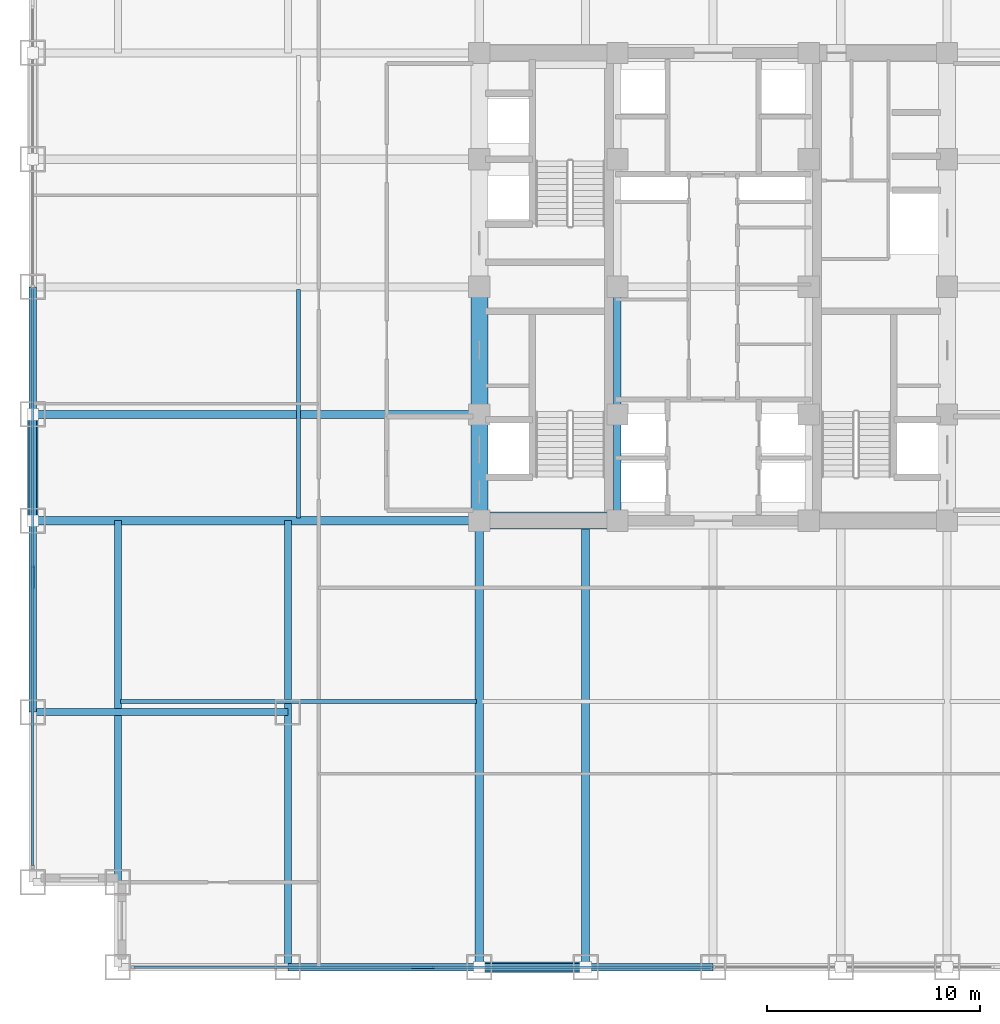
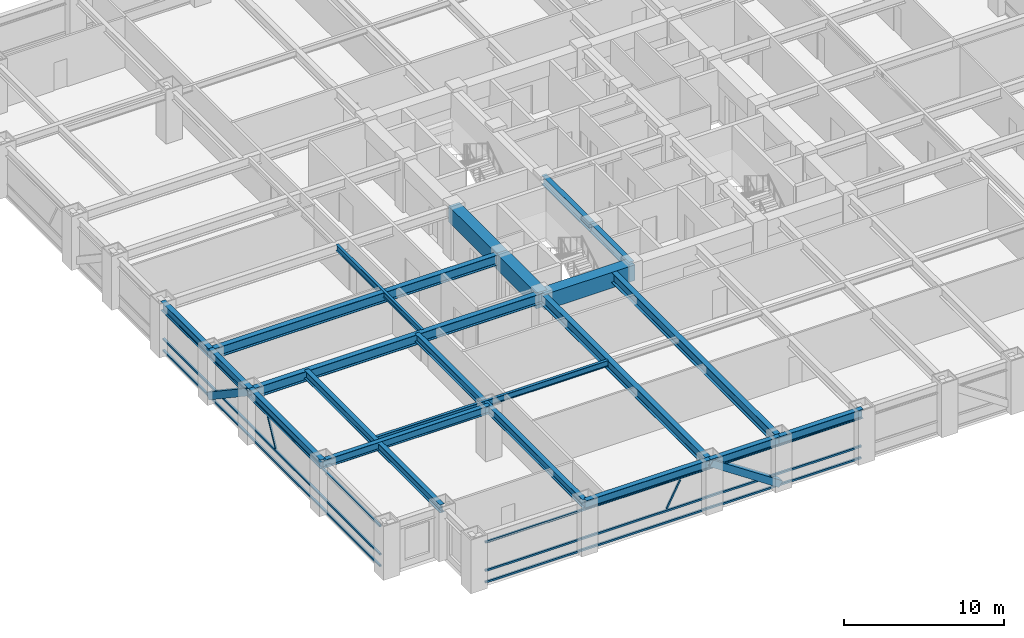
# One storey, part 3 of 28: 20 beams, 10 members, 2 elements without a shape of their own.
"""IFC4 building model written with IfcOpenShell, lengths in metres."""

import ifcopenshell
import ifcopenshell.guid

model = None  # the IFC model being written
_history = None  # IfcOwnerHistory: only IFC2X3 demands one
_inside = {}  # id of a spatial element -> (the spatial element, [elements in it])
_under = {}  # id of a project, library or spatial element -> (it, [spatial elements below it])
_declared = {}  # id of a project -> (the project, [libraries it declares])
_typed = {}  # id of a type object -> (the type object, [elements of that type])
_made_of = {}  # id of a material, layer set ... -> (it, [elements and type objects made of it])


def new_model(schema):
    """Start an empty IFC model of exactly this schema.

    Asked for "IFC4X3", IfcOpenShell would pick the latest addendum, in which some entities
    have other attributes; the version numbers below select the first issue.
    IFC2X3 requires an IfcOwnerHistory on every rooted entity: one is made here for all.
    """
    global model, _history
    if schema == "IFC4X3":
        model = ifcopenshell.file(schema_version=(4, 3, 0, 0))
    else:
        model = ifcopenshell.file(schema=schema)
    _inside.clear()
    _under.clear()
    _declared.clear()
    _typed.clear()
    _made_of.clear()
    _history = None
    if model.schema == "IFC2X3":
        org = make("IfcOrganization", Name="unknown")
        user = make(
            "IfcPersonAndOrganization",
            ThePerson=make("IfcPerson", FamilyName="unknown"),
            TheOrganization=org,
        )
        app = make(
            "IfcApplication",
            ApplicationDeveloper=org,
            Version="unknown",
            ApplicationFullName="unknown",
            ApplicationIdentifier="unknown",
        )
        _history = make(
            "IfcOwnerHistory",
            OwningUser=user,
            OwningApplication=app,
            ChangeAction="ADDED",
            CreationDate=0,
        )
    return model


def make(cls, **values):
    """One entity of the class cls with the attributes given. An attribute that is None is left unset."""
    return model.create_entity(
        cls, **{name: value for name, value in values.items() if value is not None}
    )


def rooted(cls, **values):
    """An entity with a GlobalId (a new one), such as an element, a storey or a relation."""
    return make(cls, GlobalId=ifcopenshell.guid.new(), OwnerHistory=_history, **values)


def si_unit(unit_type, name, prefix=None):
    """IfcSIUnit, for example si_unit("LENGTHUNIT", "METRE", prefix="MILLI")."""
    return make("IfcSIUnit", UnitType=unit_type, Prefix=prefix, Name=name)


def assignment(units):
    """IfcUnitAssignment: the units of a project."""
    return None if units is None else make("IfcUnitAssignment", Units=units)


def point(xyz):
    """IfcCartesianPoint."""
    return None if xyz is None else make("IfcCartesianPoint", Coordinates=xyz)


def direction(xyz):
    """IfcDirection."""
    return None if xyz is None else make("IfcDirection", DirectionRatios=xyz)


def frame(location, z_axis=None, x_axis=None):
    """IfcAxis2Placement3D, a coordinate frame: its origin and axes. An axis left out is left unset."""
    return make(
        "IfcAxis2Placement3D",
        Location=point(location),
        Axis=direction(z_axis),
        RefDirection=direction(x_axis),
    )


def frame_2d(location, x_axis=None):
    """IfcAxis2Placement2D, a coordinate frame in the plane: its origin and x axis."""
    return make(
        "IfcAxis2Placement2D", Location=point(location), RefDirection=direction(x_axis)
    )


def origin():
    """The frame at (0, 0, 0) with its axes left unset."""
    return frame((0.0, 0.0, 0.0))


def origin_2d():
    """The frame at (0, 0) in the plane with its x axis left unset."""
    return frame_2d((0.0, 0.0))


def place(relative_to, where):
    """IfcLocalPlacement: puts the frame where relative to a parent placement (None: the world)."""
    return make(
        "IfcLocalPlacement", PlacementRelTo=relative_to, RelativePlacement=where
    )


def context(
    kind, dimensions, precision=None, world=None, true_north=None, identifier=None
):
    """IfcGeometricRepresentationContext, for example the 3D "Model" context."""
    return make(
        "IfcGeometricRepresentationContext",
        ContextIdentifier=identifier,
        ContextType=kind,
        CoordinateSpaceDimension=dimensions,
        Precision=precision,
        WorldCoordinateSystem=world,
        TrueNorth=true_north,
    )


def subcontext(parent, identifier, kind, view, scale=None):
    """IfcGeometricRepresentationSubContext, for example "Body" below "Model"."""
    return make(
        "IfcGeometricRepresentationSubContext",
        ContextIdentifier=identifier,
        ContextType=kind,
        ParentContext=parent,
        TargetScale=scale,
        TargetView=view,
    )


def project(units=None, contexts=None):
    """IfcProject with its units and contexts."""
    return rooted(
        "IfcProject",
        Name="project",
        RepresentationContexts=contexts,
        UnitsInContext=assignment(units),
    )


def spatial(cls, under=None, at=None, **own):
    """A site, building, storey or space (cls), placed at a placement, below another one or the project."""
    s = rooted(cls, ObjectPlacement=at, **own)
    if under is not None:
        _under.setdefault(under.id(), (under, []))[1].append(s)
    return s


def profile(cls, at=None, kind="AREA", **sizes):
    """A parametric profile (cls). Its sizes go by their IFC names, for example OverallWidth=200.0."""
    return make(cls, ProfileType=kind, Position=at, **sizes)


def rectangle(**sizes):
    """IfcRectangleProfileDef."""
    return profile("IfcRectangleProfileDef", **sizes)


def hollow_rectangle(**sizes):
    """IfcRectangleHollowProfileDef."""
    return profile("IfcRectangleHollowProfileDef", **sizes)


def i_section(**sizes):
    """IfcIShapeProfileDef."""
    return profile("IfcIShapeProfileDef", **sizes)


def extrude(swept, where, along, depth):
    """IfcExtrudedAreaSolid: the profile swept, set in the frame where, extruded along a direction by depth."""
    return make(
        "IfcExtrudedAreaSolid",
        SweptArea=swept,
        Position=where,
        ExtrudedDirection=direction(along),
        Depth=depth,
    )


def shape(context_of_items, identifier, shape_type, items):
    """IfcShapeRepresentation: the items that make up one representation, for example the "Body"."""
    return make(
        "IfcShapeRepresentation",
        ContextOfItems=context_of_items,
        RepresentationIdentifier=identifier,
        RepresentationType=shape_type,
        Items=items,
    )


def source(mapping_origin, context_of_items, identifier, shape_type, items):
    """IfcRepresentationMap: a shape defined once, which mapped items show again and again."""
    return make(
        "IfcRepresentationMap",
        MappingOrigin=mapping_origin,
        MappedRepresentation=shape(context_of_items, identifier, shape_type, items),
    )


def transform(
    local_origin,
    x_axis=None,
    y_axis=None,
    z_axis=None,
    scale=None,
    scale2=None,
    scale3=None,
    uniform=True,
):
    """IfcCartesianTransformationOperator3D, or its non-uniform kind. x_axis, y_axis, z_axis: its Axis1, 2, 3."""
    if uniform:
        return make(
            "IfcCartesianTransformationOperator3D",
            Axis1=direction(x_axis),
            Axis2=direction(y_axis),
            LocalOrigin=point(local_origin),
            Scale=scale,
            Axis3=direction(z_axis),
        )
    return make(
        "IfcCartesianTransformationOperator3DnonUniform",
        Axis1=direction(x_axis),
        Axis2=direction(y_axis),
        LocalOrigin=point(local_origin),
        Scale=scale,
        Axis3=direction(z_axis),
        Scale2=scale2,
        Scale3=scale3,
    )


def mapped(mapping_source, mapping_target):
    """IfcMappedItem: shows the shape of a source again, moved by a transform."""
    return make(
        "IfcMappedItem", MappingSource=mapping_source, MappingTarget=mapping_target
    )


def material(Name=None, Category=None):
    """IfcMaterial."""
    return make("IfcMaterial", Name=Name, Category=Category)


def material_profile(
    of_material, cross_section, Name=None, Category=None, Priority=None
):
    """IfcMaterialProfile: a cross section and its material."""
    return make(
        "IfcMaterialProfile",
        Name=Name,
        Material=of_material,
        Profile=cross_section,
        Priority=Priority,
        Category=Category,
    )


def profile_set(profiles, Name=None, composite=None):
    """IfcMaterialProfileSet."""
    return make(
        "IfcMaterialProfileSet",
        Name=Name,
        MaterialProfiles=profiles,
        CompositeProfile=composite,
    )


def made_of(thing, what):
    """Note that an element or type object is made of a material, layer set ...; save() writes the relation."""
    if what is not None:
        _made_of.setdefault(what.id(), (what, []))[1].append(thing)
    return thing


def type_object(cls, material=None, **own):
    """A type object (cls), such as IfcWallType, which elements share."""
    return made_of(rooted(cls, **own), material)


def element(
    cls,
    number,
    at=None,
    inside=None,
    cuts=None,
    type_object=None,
    material=None,
    context=None,
    identifier="Body",
    shape_type=None,
    held_by="IfcProductDefinitionShape",
    body=None,
    shapes=None,
    **own,
):
    """One element of the class cls, such as IfcWall. Its Tag is "e" and its number.

    at: its placement. inside: the storey or other place that contains it. cuts: it is an
    opening in that element (IfcRelVoidsElement). A single representation is given by context,
    identifier, shape_type and body (its items); several are given by shapes. held_by: the class
    of the entity that holds the representations. save() writes the other relations.
    """
    e = rooted(cls, Tag="e%d" % number, ObjectPlacement=at, **own)
    if body is not None:
        shapes = [shape(context, identifier, shape_type, body)]
    if shapes is not None:
        e.Representation = make(held_by, Representations=shapes)
    if inside is not None:
        _inside.setdefault(inside.id(), (inside, []))[1].append(e)
    if cuts is not None:
        rooted(
            "IfcRelVoidsElement", RelatingBuildingElement=cuts, RelatedOpeningElement=e
        )
    if type_object is not None:
        _typed.setdefault(type_object.id(), (type_object, []))[1].append(e)
    return made_of(e, material)


def aggregate(whole, parts):
    """IfcRelAggregates: a whole, such as a stair, and the parts it consists of."""
    return rooted("IfcRelAggregates", RelatingObject=whole, RelatedObjects=parts)


def save(model, path):
    """Write the relations noted so far, then the file.

    IfcRelAggregates (storeys below a building ...), IfcRelContainedInSpatialStructure (elements
    in a storey), IfcRelDefinesByType, IfcRelAssociatesMaterial and IfcRelDeclares: one each for
    every whole, place, type object, material and project.
    """
    for whole, parts in _under.values():
        aggregate(whole, parts)
    for where, things in _inside.values():
        rooted(
            "IfcRelContainedInSpatialStructure",
            RelatedElements=things,
            RelatingStructure=where,
        )
    for kind, things in _typed.values():
        rooted("IfcRelDefinesByType", RelatedObjects=things, RelatingType=kind)
    for what, things in _made_of.values():
        rooted("IfcRelAssociatesMaterial", RelatedObjects=things, RelatingMaterial=what)
    for by, libraries in _declared.values():
        rooted("IfcRelDeclares", RelatingContext=by, RelatedDefinitions=libraries)
    model.write(path)


model = new_model("IFC4")

# Units and contexts
model_context = context("Model", 3, precision=1e-05, world=origin(), true_north=direction((0.0, 1.0)))
body_context = subcontext(model_context, "Body", "Model", "MODEL_VIEW")
ifc_project = project(units=[si_unit("LENGTHUNIT", "METRE"), si_unit("AREAUNIT", "SQUARE_METRE"), si_unit("VOLUMEUNIT", "CUBIC_METRE"), si_unit("PLANEANGLEUNIT", "RADIAN"), si_unit("MASSUNIT", "GRAM", prefix="KILO")], contexts=[model_context])

# Site, building, storey
site_placement = place(None, origin())
site = spatial("IfcSite", under=ifc_project, at=site_placement, CompositionType="ELEMENT")
building_placement = place(site_placement, origin())
building = spatial("IfcBuilding", under=site, at=building_placement, Name="Khorayat Bourse Tower", CompositionType="ELEMENT")
storey_placement = place(building_placement, frame((0.0, 0.0, 120.10009765625)))
storey = spatial("IfcBuildingStorey", under=building, at=storey_placement, Name="L27", CompositionType="ELEMENT", Elevation=120.10009765625)

# Beams
ifc_material_1 = material(Name="Concrete C72/90", Category="concrete")
ifc_material_profile_1 = material_profile(ifc_material_1, rectangle(XDim=0.800048828125, YDim=1.199951171875, at=origin_2d()), Name="RC 800x1200")
ifc_profile_set_1 = profile_set([ifc_material_profile_1], Name="Concrete C72/90")
beam_type_1 = type_object("IfcBeamType", Name="BM-COUP-1200", PredefinedType="BEAM", material=ifc_profile_set_1)
shared_shape_1 = source(origin(), body_context, "Body", "SweptSolid", [
    extrude(rectangle(XDim=0.800048828125, YDim=1.199951171875, at=origin_2d()), origin(), (0.0, 0.0, 1.0), 5.0),
])
beam_1_placement = place(storey_placement, frame((-11.0, -11.0, 3.239990234375), z_axis=(0.0, 1.0, 0.0), x_axis=(-1.0, 0.0, 0.0)))
element("IfcBeam", 1, at=beam_1_placement, inside=storey, type_object=beam_type_1, Name="L27 BM-COUP-1200 BM-L27-CRX-01", PredefinedType="BEAM", context=body_context, shape_type="MappedRepresentation", body=[
    mapped(shared_shape_1, transform((0.0, 0.0, 0.0), scale=1.0)),
])
shared_shape_2 = source(origin(), body_context, "Body", "SweptSolid", [
    extrude(rectangle(XDim=0.800048828125, YDim=1.199951171875, at=origin_2d()), origin(), (0.0, 0.0, 1.0), 6.0),
])
beam_2_placement = place(storey_placement, frame((-11.0, -6.0, 3.239990234375), z_axis=(0.0, 1.0, 0.0), x_axis=(-1.0, 0.0, 0.0)))
element("IfcBeam", 2, at=beam_2_placement, inside=storey, type_object=beam_type_1, Name="L27 BM-COUP-1200 BM-L27-CRX-02", PredefinedType="BEAM", context=body_context, shape_type="MappedRepresentation", body=[
    mapped(shared_shape_2, transform((0.0, 0.0, 0.0), scale=1.0)),
])
ifc_material_2 = material(Name="Steel ASTM A992 Grade 50", Category="steel")
ifc_material_profile_2 = material_profile(ifc_material_2, i_section(OverallWidth=0.35498046875, OverallDepth=0.695068359375, WebThickness=0.015380859375, FlangeThickness=0.02490234375, FilletRadius=0.01806640625, at=origin_2d()), Name="W690X217")
ifc_profile_set_2 = profile_set([ifc_material_profile_2], Name="Steel ASTM A992 Grade 50")
beam_type_2 = type_object("IfcBeamType", Name="BM-GIRD-690", PredefinedType="BEAM", material=ifc_profile_set_2)
shared_shape_3 = source(origin(), body_context, "Body", "SweptSolid", [
    extrude(i_section(OverallWidth=0.35498046875, OverallDepth=0.695068359375, WebThickness=0.015380859375, FlangeThickness=0.02490234375, FilletRadius=0.01806640625, at=origin_2d()), origin(), (0.0, 0.0, 1.0), 5.0),
])
beam_3_placement = place(storey_placement, frame((-4.5, -11.0, 3.492431640625), z_axis=(0.0, 1.0, 0.0), x_axis=(-1.0, 0.0, 0.0)))
element("IfcBeam", 3, at=beam_3_placement, inside=storey, type_object=beam_type_2, Name="L27 BM-GIRD-690 BM-L27-CRX-05", PredefinedType="BEAM", context=body_context, shape_type="MappedRepresentation", body=[
    mapped(shared_shape_3, transform((0.0, 0.0, 0.0), scale=1.0)),
])
shared_shape_4 = source(origin(), body_context, "Body", "SweptSolid", [
    extrude(i_section(OverallWidth=0.35498046875, OverallDepth=0.695068359375, WebThickness=0.015380859375, FlangeThickness=0.02490234375, FilletRadius=0.01806640625, at=origin_2d()), origin(), (0.0, 0.0, 1.0), 6.0),
])
beam_4_placement = place(storey_placement, frame((-4.5, -6.0, 3.492431640625), z_axis=(0.0, 1.0, 0.0), x_axis=(-1.0, 0.0, 0.0)))
element("IfcBeam", 4, at=beam_4_placement, inside=storey, type_object=beam_type_2, Name="L27 BM-GIRD-690 BM-L27-CRX-06", PredefinedType="BEAM", context=body_context, shape_type="MappedRepresentation", body=[
    mapped(shared_shape_4, transform((0.0, 0.0, 0.0), scale=1.0)),
])
shared_shape_5 = source(origin(), body_context, "Body", "SweptSolid", [
    extrude(rectangle(XDim=0.800048828125, YDim=1.199951171875, at=origin_2d()), origin(), (0.0, 0.0, 1.0), 6.5),
])
beam_5_placement = place(storey_placement, frame((-11.0, -11.0, 3.239990234375), z_axis=(1.0, 0.0, 0.0), x_axis=(0.0, 1.0, 0.0)))
element("IfcBeam", 5, at=beam_5_placement, inside=storey, type_object=beam_type_1, Name="L27 BM-COUP-1200 BM-L27-CRY-17", PredefinedType="BEAM", context=body_context, shape_type="MappedRepresentation", body=[
    mapped(shared_shape_5, transform((0.0, 0.0, 0.0), scale=1.0)),
])
ifc_material_profile_3 = material_profile(ifc_material_2, i_section(OverallWidth=0.35498046875, OverallDepth=0.695068359375, WebThickness=0.015380859375, FlangeThickness=0.02490234375, FilletRadius=0.01806640625, at=origin_2d()), Name="W690X217")
ifc_profile_set_3 = profile_set([ifc_material_profile_3], Name="Steel ASTM A992 Grade 50")
beam_type_3 = type_object("IfcBeamType", Name="BM-SPAN-690", PredefinedType="SPANDREL", material=ifc_profile_set_3)
shared_shape_6 = source(origin(), body_context, "Body", "SweptSolid", [
    extrude(i_section(OverallWidth=0.35498046875, OverallDepth=0.695068359375, WebThickness=0.015380859375, FlangeThickness=0.02490234375, FilletRadius=0.01806640625, at=origin_2d()), origin(), (0.0, 0.0, 1.0), 9.0),
])
for number, where, z_axis, x_axis, name in (
    (6, (-20.0, -32.0, 3.492431640625), (1.0, 0.0, 0.0), (0.0, 1.0, 0.0), "L27 BM-SPAN-690 BM-L27-SPN-025"),
    (7, (-32.0, -20.0, 3.492431640625), (0.0, 1.0, 0.0), (-1.0, 0.0, 0.0), "L27 BM-SPAN-690 BM-L27-SPN-060"),
):
    element("IfcBeam", number, at=place(storey_placement, frame(where, z_axis=z_axis, x_axis=x_axis)), inside=storey, type_object=beam_type_3, Name=name, PredefinedType="SPANDREL", context=body_context, shape_type="MappedRepresentation", body=[
        mapped(shared_shape_6, transform((0.0, 0.0, 0.0), scale=1.0)),
    ])
shared_shape_7 = source(origin(), body_context, "Body", "SweptSolid", [
    extrude(i_section(OverallWidth=0.35498046875, OverallDepth=0.695068359375, WebThickness=0.015380859375, FlangeThickness=0.02490234375, FilletRadius=0.01806640625, at=origin_2d()), origin(), (0.0, 0.0, 1.0), 5.0),
])
for number, where, z_axis, x_axis, name in (
    (8, (-11.0, -32.0, 3.492431640625), (1.0, 0.0, 0.0), (0.0, 1.0, 0.0), "L27 BM-SPAN-690 BM-L27-SPN-026"),
    (9, (-32.0, -11.0, 3.492431640625), (0.0, 1.0, 0.0), (-1.0, 0.0, 0.0), "L27 BM-SPAN-690 BM-L27-SPN-059"),
):
    element("IfcBeam", number, at=place(storey_placement, frame(where, z_axis=z_axis, x_axis=x_axis)), inside=storey, type_object=beam_type_3, Name=name, PredefinedType="SPANDREL", context=body_context, shape_type="MappedRepresentation", body=[
        mapped(shared_shape_7, transform((0.0, 0.0, 0.0), scale=1.0)),
    ])
shared_shape_8 = source(origin(), body_context, "Body", "SweptSolid", [
    extrude(i_section(OverallWidth=0.35498046875, OverallDepth=0.695068359375, WebThickness=0.015380859375, FlangeThickness=0.02490234375, FilletRadius=0.01806640625, at=origin_2d()), origin(), (0.0, 0.0, 1.0), 6.0),
])
for number, where, z_axis, x_axis, name in (
    (10, (-6.0, -32.0, 3.492431640625), (1.0, 0.0, 0.0), (0.0, 1.0, 0.0), "L27 BM-SPAN-690 BM-L27-SPN-027"),
    (11, (-32.0, -6.0, 3.492431640625), (0.0, 1.0, 0.0), (-1.0, 0.0, 0.0), "L27 BM-SPAN-690 BM-L27-SPN-058"),
):
    element("IfcBeam", number, at=place(storey_placement, frame(where, z_axis=z_axis, x_axis=x_axis)), inside=storey, type_object=beam_type_3, Name=name, PredefinedType="SPANDREL", context=body_context, shape_type="MappedRepresentation", body=[
        mapped(shared_shape_8, transform((0.0, 0.0, 0.0), scale=1.0)),
    ])
ifc_material_profile_4 = material_profile(ifc_material_2, i_section(OverallWidth=0.324951171875, OverallDepth=0.615966796875, WebThickness=0.013916015625, FlangeThickness=0.021484375, FilletRadius=0.01611328125, at=origin_2d()), Name="W610X174")
ifc_profile_set_4 = profile_set([ifc_material_profile_4], Name="Steel ASTM A992 Grade 50")
beam_type_4 = type_object("IfcBeamType", Name="BM-GIRD-610", PredefinedType="BEAM", material=ifc_profile_set_4)
shared_shape_9 = source(origin(), body_context, "Body", "SweptSolid", [
    extrude(i_section(OverallWidth=0.324951171875, OverallDepth=0.615966796875, WebThickness=0.013916015625, FlangeThickness=0.021484375, FilletRadius=0.01611328125, at=origin_2d()), origin(), (0.0, 0.0, 1.0), 21.0),
])
beam_6_placement = place(storey_placement, frame((-20.0, -32.0, 3.531982421875), z_axis=(0.0, 1.0, 0.0), x_axis=(-1.0, 0.0, 0.0)))
element("IfcBeam", 12, at=beam_6_placement, inside=storey, type_object=beam_type_4, Name="L27 BM-GIRD-610 BM-L27-CNRY-084", PredefinedType="BEAM", context=body_context, shape_type="MappedRepresentation", body=[
    mapped(shared_shape_9, transform((0.0, 0.0, 0.0), scale=1.0)),
])
shared_shape_10 = source(origin(), body_context, "Body", "SweptSolid", [
    extrude(i_section(OverallWidth=0.324951171875, OverallDepth=0.615966796875, WebThickness=0.013916015625, FlangeThickness=0.021484375, FilletRadius=0.01611328125, at=origin_2d()), origin(), (0.0, 0.0, 1.0), 12.0),
])
beam_7_placement = place(storey_placement, frame((-32.0, -20.0, 3.531982421875), z_axis=(1.0, 0.0, 0.0), x_axis=(0.0, 1.0, 0.0)))
element("IfcBeam", 13, at=beam_7_placement, inside=storey, type_object=beam_type_4, Name="L27 BM-GIRD-610 BM-L27-CNRX-093", PredefinedType="BEAM", context=body_context, shape_type="MappedRepresentation", body=[
    mapped(shared_shape_10, transform((0.0, 0.0, 0.0), scale=1.0)),
])
ifc_material_profile_5 = material_profile(ifc_material_2, i_section(OverallWidth=0.194091796875, OverallDepth=0.468994140625, WebThickness=0.0126953125, FlangeThickness=0.0205078125, FilletRadius=0.012939453125, at=origin_2d()), Name="W460X106")
ifc_profile_set_5 = profile_set([ifc_material_profile_5], Name="Steel ASTM A992 Grade 50")
beam_type_5 = type_object("IfcBeamType", Name="BM-JOIST-460", PredefinedType="JOIST", material=ifc_profile_set_5)
shared_shape_11 = source(origin(), body_context, "Body", "SweptSolid", [
    extrude(i_section(OverallWidth=0.194091796875, OverallDepth=0.468994140625, WebThickness=0.0126953125, FlangeThickness=0.0205078125, FilletRadius=0.012939453125, at=origin_2d()), origin(), (0.0, 0.0, 1.0), 10.740234375),
])
beam_8_placement = place(storey_placement, frame((-19.5, -10.8701171875, 3.60546875), z_axis=(0.0, 1.0, 0.0), x_axis=(-1.0, 0.0, 0.0)))
element("IfcBeam", 14, at=beam_8_placement, inside=storey, type_object=beam_type_5, Name="L27 BM-JOIST-460 BM-L27-JSTY-102", PredefinedType="JOIST", context=body_context, shape_type="MappedRepresentation", body=[
    mapped(shared_shape_11, transform((0.0, 0.0, 0.0), scale=1.0)),
])
ifc_material_profile_6 = material_profile(ifc_material_2, i_section(OverallWidth=0.381103515625, OverallDepth=0.77294921875, WebThickness=0.0166015625, FlangeThickness=0.027587890625, FilletRadius=0.01806640625, at=origin_2d()), Name="W760X257")
ifc_profile_set_6 = profile_set([ifc_material_profile_6], Name="Steel ASTM A992 Grade 50")
beam_type_6 = type_object("IfcBeamType", Name="BM-GIRD-760", PredefinedType="BEAM", material=ifc_profile_set_6)
shared_shape_12 = source(origin(), body_context, "Body", "SweptSolid", [
    extrude(i_section(OverallWidth=0.381103515625, OverallDepth=0.77294921875, WebThickness=0.0166015625, FlangeThickness=0.027587890625, FilletRadius=0.01806640625, at=origin_2d()), origin(), (0.0, 0.0, 1.0), 21.0),
])
for number, where, z_axis, x_axis, name in (
    (15, (-11.0, -32.0, 3.453369140625), (0.0, 1.0, 0.0), (-1.0, 0.0, 0.0), "L27 BM-GIRD-760 BM-L27-RADY-065"),
    (16, (-6.0, -32.0, 3.453369140625), (0.0, 1.0, 0.0), (-1.0, 0.0, 0.0), "L27 BM-GIRD-760 BM-L27-RADY-067"),
    (17, (-32.0, -11.0, 3.453369140625), (1.0, 0.0, 0.0), (0.0, 1.0, 0.0), "L27 BM-GIRD-760 BM-L27-RADX-075"),
    (18, (-32.0, -6.0, 3.453369140625), (1.0, 0.0, 0.0), (0.0, 1.0, 0.0), "L27 BM-GIRD-760 BM-L27-RADX-077"),
):
    element("IfcBeam", number, at=place(storey_placement, frame(where, z_axis=z_axis, x_axis=x_axis)), inside=storey, type_object=beam_type_6, Name=name, PredefinedType="BEAM", context=body_context, shape_type="MappedRepresentation", body=[
        mapped(shared_shape_12, transform((0.0, 0.0, 0.0), scale=1.0)),
    ])
shared_shape_13 = source(origin(), body_context, "Body", "SweptSolid", [
    extrude(i_section(OverallWidth=0.324951171875, OverallDepth=0.615966796875, WebThickness=0.013916015625, FlangeThickness=0.021484375, FilletRadius=0.01611328125, at=origin_2d()), origin(), (0.0, 0.0, 1.0), 17.0),
])
beam_9_placement = place(storey_placement, frame((-28.0, -28.0, 3.531982421875), z_axis=(0.0, 1.0, 0.0), x_axis=(-1.0, 0.0, 0.0)))
element("IfcBeam", 19, at=beam_9_placement, inside=storey, type_object=beam_type_4, Name="L27 BM-GIRD-610 BM-L27-CNRY-088", PredefinedType="BEAM", context=body_context, shape_type="MappedRepresentation", body=[
    mapped(shared_shape_13, transform((0.0, 0.0, 0.0), scale=1.0)),
])
shared_shape_14 = source(origin(), body_context, "Body", "SweptSolid", [
    extrude(i_section(OverallWidth=0.194091796875, OverallDepth=0.468994140625, WebThickness=0.0126953125, FlangeThickness=0.0205078125, FilletRadius=0.012939453125, at=origin_2d()), origin(), (0.0, 0.0, 1.0), 16.740234375),
])
beam_10_placement = place(storey_placement, frame((-27.8701171875, -19.5, 3.60546875), z_axis=(1.0, 0.0, 0.0), x_axis=(0.0, 1.0, 0.0)))
element("IfcBeam", 20, at=beam_10_placement, inside=storey, type_object=beam_type_5, Name="L27 BM-JOIST-460 BM-L27-JSTX-096", PredefinedType="JOIST", context=body_context, shape_type="MappedRepresentation", body=[
    mapped(shared_shape_14, transform((0.0, 0.0, 0.0), scale=1.0)),
])

# Members
ifc_material_3 = material(Name="Steel EN 10025-4 S460M", Category="steel")
ifc_material_profile_7 = material_profile(ifc_material_3, hollow_rectangle(XDim=0.5, YDim=0.5, WallThickness=0.028076171875, at=origin_2d()), Name="HSS 500x500x28")
ifc_profile_set_7 = profile_set([ifc_material_profile_7], Name="Steel EN 10025-4 S460M")
member_type_1 = type_object("IfcMemberType", Name="MBR-TUBE-500", PredefinedType="BRACE", material=ifc_profile_set_7)
shared_shape_15 = source(origin(), body_context, "Body", "SweptSolid", [
    extrude(hollow_rectangle(XDim=0.5, YDim=0.5, WallThickness=0.028076171875, at=origin_2d()), origin(), (0.0, 0.0, 1.0), 6.012939453125),
])
for number, where, z_axis, x_axis, name in (
    (21, (-11.0, -32.0, 3.58984375), (0.831550226979, 0.0, -0.555449565677), (0.0, 1.0, 0.0), "L27 Perimeter Tube Brace 01"),
    (22, (-32.0, -11.0, 3.58984375), (0.0, 0.831550226979, -0.555449565677), (-1.0, 0.0, 0.0), "L27 Perimeter Tube Brace 05"),
):
    element("IfcMember", number, at=place(storey_placement, frame(where, z_axis=z_axis, x_axis=x_axis)), inside=storey, type_object=member_type_1, Name=name, PredefinedType="BRACE", context=body_context, shape_type="MappedRepresentation", body=[
        mapped(shared_shape_15, transform((0.0, 0.0, 0.0), scale=1.0)),
    ])

# Curtain wall, members
ifc_material_4 = material(Name="Aluminium EN AW-6063 T6", Category="aluminium")
curtain_wall_type = type_object("IfcCurtainWallType", Name="CW-SYS-02", PredefinedType="NOTDEFINED", material=ifc_material_4)
curtain_wall_1_placement = place(storey_placement, origin())
curtain_wall_1 = element("IfcCurtainWall", 23, at=curtain_wall_1_placement, inside=storey, type_object=curtain_wall_type, Name="L27 Curtain Wall CW-L27-S1", PredefinedType="NOTDEFINED")
ifc_material_profile_8 = material_profile(ifc_material_4, hollow_rectangle(XDim=0.139892578125, YDim=0.139892578125, WallThickness=0.006103515625, at=origin_2d()), Name="ALU 140x140x6")
ifc_profile_set_8 = profile_set([ifc_material_profile_8], Name="Aluminium EN AW-6063 T6")
member_type_2 = type_object("IfcMemberType", Name="CWT-HORZ-140", PredefinedType="USERDEFINED", material=ifc_profile_set_8)
shared_shape_16 = source(origin(), body_context, "Body", "SweptSolid", [
    extrude(hollow_rectangle(XDim=0.139892578125, YDim=0.139892578125, WallThickness=0.006103515625, at=origin_2d()), origin(), (0.0, 0.0, 1.0), 27.139892578125),
])
member_1_placement = place(storey_placement, frame((-27.2099609375, -32.0, 0.06982421875), z_axis=(1.0, 0.0, 0.0), x_axis=(0.0, 1.0, 0.0)))
member_1 = element("IfcMember", 24, at=member_1_placement, type_object=member_type_2, Name="CW-L27-S1 Horizontal Transom 1-1", ObjectType="TRANSOM", PredefinedType="USERDEFINED", context=body_context, shape_type="MappedRepresentation", body=[
    mapped(shared_shape_16, transform((0.0, 0.0, 0.0), scale=1.0)),
])
member_2_placement = place(storey_placement, frame((-27.2099609375, -32.0, 0.949951171875), z_axis=(1.0, 0.0, 0.0), x_axis=(0.0, 1.0, 0.0)))
member_2 = element("IfcMember", 25, at=member_2_placement, type_object=member_type_2, Name="CW-L27-S1 Horizontal Transom 1-2", ObjectType="TRANSOM", PredefinedType="USERDEFINED", context=body_context, shape_type="MappedRepresentation", body=[
    mapped(shared_shape_16, transform((0.0, 0.0, 0.0), scale=1.0)),
])
member_3_placement = place(storey_placement, frame((-27.2099609375, -32.0, 3.119873046875), z_axis=(1.0, 0.0, 0.0), x_axis=(0.0, 1.0, 0.0)))
member_3 = element("IfcMember", 26, at=member_3_placement, type_object=member_type_2, Name="CW-L27-S1 Horizontal Transom 1-3", ObjectType="TRANSOM", PredefinedType="USERDEFINED", context=body_context, shape_type="MappedRepresentation", body=[
    mapped(shared_shape_16, transform((0.0, 0.0, 0.0), scale=1.0)),
])

curtain_wall_2_placement = place(storey_placement, origin())
curtain_wall_2 = element("IfcCurtainWall", 27, at=curtain_wall_2_placement, inside=storey, type_object=curtain_wall_type, Name="L27 Curtain Wall CW-L27-W1", PredefinedType="NOTDEFINED")
member_4_placement = place(storey_placement, frame((-32.0, -27.2099609375, 0.06982421875), z_axis=(0.0, 1.0, 0.0), x_axis=(-1.0, 0.0, 0.0)))
member_4 = element("IfcMember", 28, at=member_4_placement, type_object=member_type_2, Name="CW-L27-W1 Horizontal Transom 1-1", ObjectType="TRANSOM", PredefinedType="USERDEFINED", context=body_context, shape_type="MappedRepresentation", body=[
    mapped(shared_shape_16, transform((0.0, 0.0, 0.0), scale=1.0)),
])
member_5_placement = place(storey_placement, frame((-32.0, -27.2099609375, 0.949951171875), z_axis=(0.0, 1.0, 0.0), x_axis=(-1.0, 0.0, 0.0)))
member_5 = element("IfcMember", 29, at=member_5_placement, type_object=member_type_2, Name="CW-L27-W1 Horizontal Transom 1-2", ObjectType="TRANSOM", PredefinedType="USERDEFINED", context=body_context, shape_type="MappedRepresentation", body=[
    mapped(shared_shape_16, transform((0.0, 0.0, 0.0), scale=1.0)),
])
member_6_placement = place(storey_placement, frame((-32.0, -27.2099609375, 3.119873046875), z_axis=(0.0, 1.0, 0.0), x_axis=(-1.0, 0.0, 0.0)))
member_6 = element("IfcMember", 30, at=member_6_placement, type_object=member_type_2, Name="CW-L27-W1 Horizontal Transom 1-3", ObjectType="TRANSOM", PredefinedType="USERDEFINED", context=body_context, shape_type="MappedRepresentation", body=[
    mapped(shared_shape_16, transform((0.0, 0.0, 0.0), scale=1.0)),
])

# Member
ifc_material_profile_9 = material_profile(ifc_material_4, hollow_rectangle(XDim=0.1201171875, YDim=0.1201171875, WallThickness=0.0048828125, at=origin_2d()), Name="ALU 120x120x5")
ifc_profile_set_9 = profile_set([ifc_material_profile_9], Name="Aluminium EN AW-6063 T6")
member_type_3 = type_object("IfcMemberType", Name="CWM-DIAG-120", PredefinedType="MULLION", material=ifc_profile_set_9)
shared_shape_17 = source(origin(), body_context, "Body", "SweptSolid", [
    extrude(hollow_rectangle(XDim=0.1201171875, YDim=0.1201171875, WallThickness=0.0048828125, at=origin_2d()), origin(), (0.0, 0.0, 1.0), 2.11328125),
])
member_7_placement = place(storey_placement, frame((-14.132080078125, -32.0, 1.099853515625), z_axis=(0.465694055905, 0.0, 0.884945787207), x_axis=(0.0, 1.0, 0.0)))
member_7 = element("IfcMember", 31, at=member_7_placement, type_object=member_type_3, Name="CW-L27-S1 Faceted Diagonal Mullion 1", PredefinedType="MULLION", context=body_context, shape_type="MappedRepresentation", body=[
    mapped(shared_shape_17, transform((0.0, 0.0, 0.0), scale=1.0)),
])

aggregate(curtain_wall_1, [member_1, member_2, member_3, member_7])

member_8_placement = place(storey_placement, frame((-32.0, -14.132080078125, 1.099853515625), z_axis=(0.0, 0.465694055905, 0.884945787207), x_axis=(-1.0, 0.0, 0.0)))
member_8 = element("IfcMember", 32, at=member_8_placement, type_object=member_type_3, Name="CW-L27-W1 Faceted Diagonal Mullion 1", PredefinedType="MULLION", context=body_context, shape_type="MappedRepresentation", body=[
    mapped(shared_shape_17, transform((0.0, 0.0, 0.0), scale=1.0)),
])

aggregate(curtain_wall_2, [member_4, member_5, member_6, member_8])

save(model, "model.ifc")
